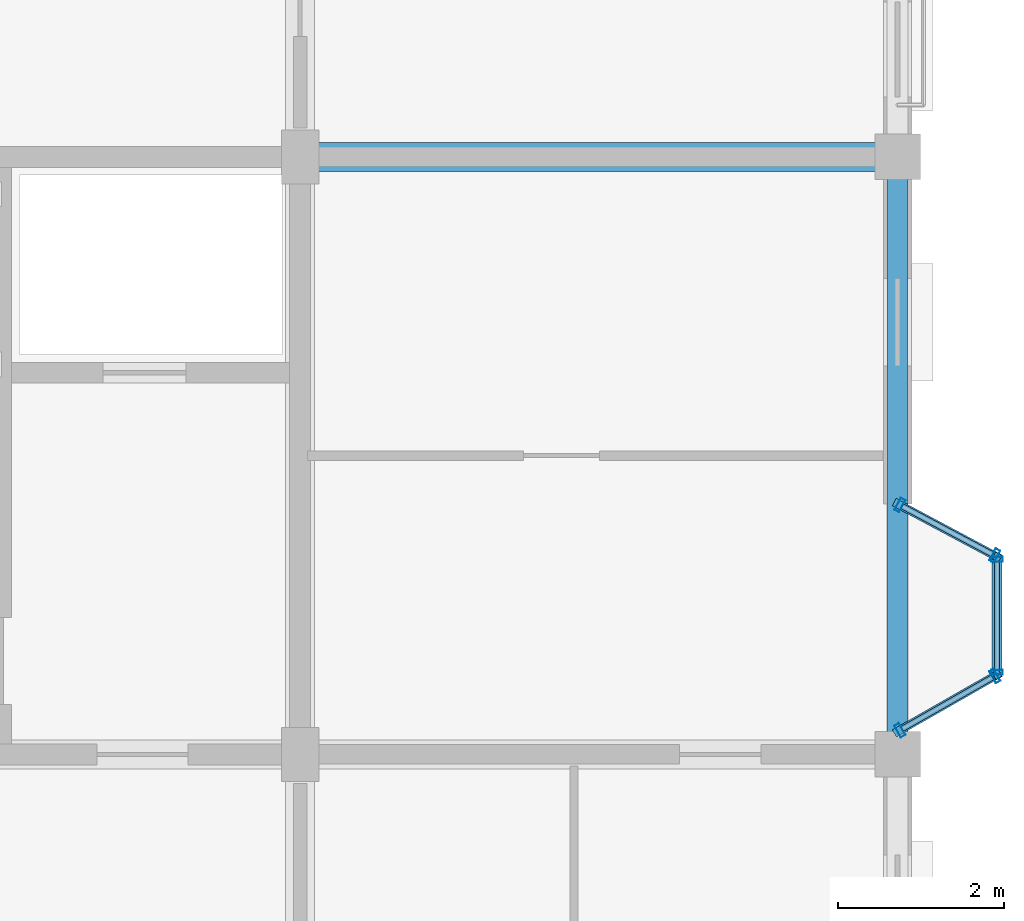
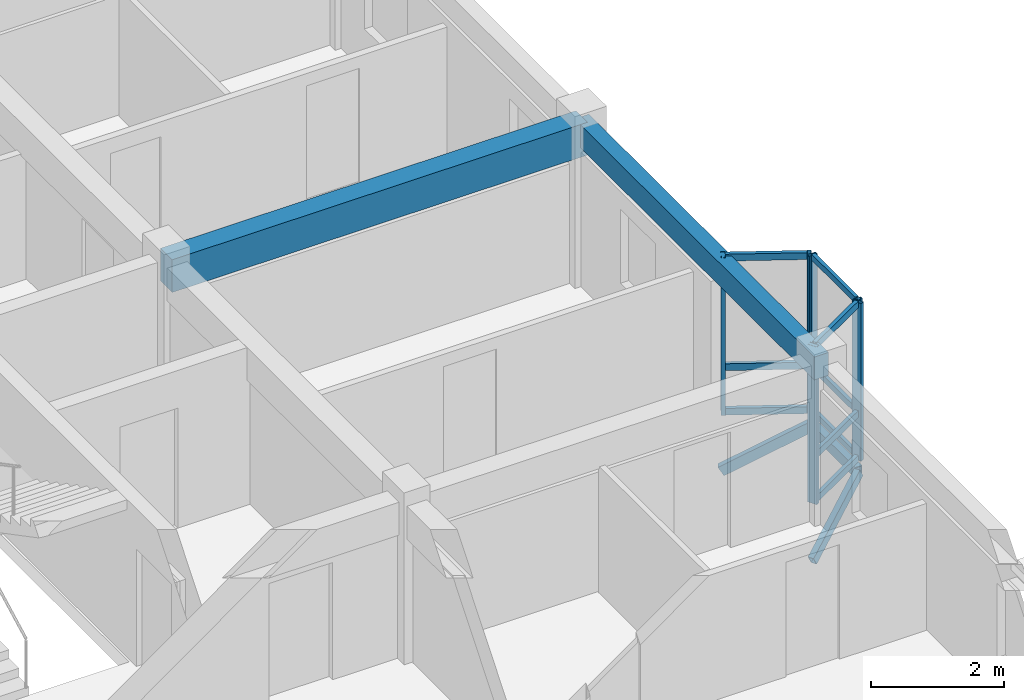
# One storey, part 25 of 75: 18 members, 2 beams, 3 elements without a shape of their own.
"""IFC4 building model written with IfcOpenShell, lengths in metres."""

from ifc_helpers import new_model, si_unit, direction, frame, origin, origin_2d, place, context, subcontext, project, spatial, rectangle, hollow_rectangle, extrude, material, layer, layer_set, material_profile, profile_set, type_object, element, aggregate, save


model = new_model("IFC4")

# Units and contexts
model_context = context("Model", 3, precision=1e-05, world=origin(), true_north=direction((0.0, 1.0)))
body_context = subcontext(model_context, "Body", "Model", "MODEL_VIEW")
ifc_project = project(units=[si_unit("LENGTHUNIT", "METRE"), si_unit("AREAUNIT", "SQUARE_METRE"), si_unit("VOLUMEUNIT", "CUBIC_METRE"), si_unit("PLANEANGLEUNIT", "RADIAN"), si_unit("MASSUNIT", "GRAM", prefix="KILO"), si_unit("THERMODYNAMICTEMPERATUREUNIT", "KELVIN"), si_unit("POWERUNIT", "WATT")], contexts=[model_context])

# Site, building, storey
site_placement = place(None, origin())
site = spatial("IfcSite", under=ifc_project, at=site_placement, CompositionType="ELEMENT")
building_placement = place(site_placement, origin())
building = spatial("IfcBuilding", under=site, at=building_placement, Name="Tavuni Mirador Residences", CompositionType="ELEMENT")
storey_placement = place(building_placement, frame((0.0, 0.0, 20.25)))
storey = spatial("IfcBuildingStorey", under=building, at=storey_placement, Name="L06", CompositionType="ELEMENT", Elevation=20.25)

# Beams
ifc_material_1 = material(Name="Precast concrete C40/50", Category="concrete")
ifc_material_profile_1 = material_profile(ifc_material_1, rectangle(XDim=0.35009765625, YDim=0.60009765625, at=origin_2d()), Name="PC 350x600", Category="concrete")
ifc_profile_set_1 = profile_set([ifc_material_profile_1], Name="Precast concrete C40/50")
beam_type_1 = type_object("IfcBeamType", Name="BT-B600", PredefinedType="BEAM", material=ifc_profile_set_1)
beam_1_placement = place(storey_placement, frame((111.60009765625, 115.199951171875, 2.590087890625), z_axis=(1.0, 0.0, 0.0), x_axis=(0.0, 1.0, 0.0)))
element("IfcBeam", 1, at=beam_1_placement, inside=storey, type_object=beam_type_1, Name="BMX-BLK-D-L06-03-04", PredefinedType="BEAM", context=body_context, shape_type="SweptSolid", body=[
    extrude(rectangle(XDim=0.35009765625, YDim=0.60009765625, at=origin_2d()), origin(), (0.0, 0.0, 1.0), 7.199951171875),
])
ifc_material_profile_2 = material_profile(ifc_material_1, rectangle(XDim=0.25, YDim=0.419921875, at=origin_2d()), Name="PC 250x420", Category="concrete")
ifc_profile_set_2 = profile_set([ifc_material_profile_2], Name="Precast concrete C40/50")
beam_type_2 = type_object("IfcBeamType", Name="BT-SP420", PredefinedType="SPANDREL", material=ifc_profile_set_2)
beam_2_placement = place(storey_placement, frame((118.800048828125, 108.0, 2.679931640625), z_axis=(0.0, 1.0, 0.0), x_axis=(-1.0, 0.0, 0.0)))
element("IfcBeam", 2, at=beam_2_placement, inside=storey, type_object=beam_type_2, Name="BMY-BLK-D-L06-04-03", PredefinedType="SPANDREL", context=body_context, shape_type="SweptSolid", body=[
    extrude(rectangle(XDim=0.25, YDim=0.419921875, at=origin_2d()), origin(), (0.0, 0.0, 1.0), 7.199951171875),
])

# Curtain wall, members
ifc_material_2 = material(Name="Anodised aluminium", Category="aluminium")
ifc_layer_1 = layer(ifc_material_2, 0.175048828125, Name="Anodised aluminium", Category="aluminium")
ifc_layer_set_1 = layer_set([ifc_layer_1], Name="Anodised aluminium")
curtain_wall_type_1 = type_object("IfcCurtainWallType", Name="CWT-MIR-C", PredefinedType="NOTDEFINED", material=ifc_layer_set_1)
curtain_wall_1_placement = place(storey_placement, origin())
curtain_wall_1 = element("IfcCurtainWall", 3, at=curtain_wall_1_placement, inside=storey, type_object=curtain_wall_type_1, Name="CW-MIR-D-E2-L06-MF", PredefinedType="NOTDEFINED")
ifc_material_profile_3 = material_profile(ifc_material_2, hollow_rectangle(XDim=0.06005859375, YDim=0.139892578125, WallThickness=0.00390625, at=origin_2d()), Name="ALU 60x140x4.0", Category="aluminium")
ifc_profile_set_3 = profile_set([ifc_material_profile_3], Name="Anodised aluminium")
member_type_1 = type_object("IfcMemberType", Name="CWM-140", PredefinedType="MULLION", material=ifc_profile_set_3)
member_1_placement = place(storey_placement, frame((120.0, 108.989990234375, 0.0), z_axis=(0.0, 0.0, 1.0), x_axis=(0.0, 1.0, 0.0)))
member_1 = element("IfcMember", 4, at=member_1_placement, type_object=member_type_1, Name="CW-03 mullion 1", PredefinedType="MULLION", context=body_context, shape_type="SweptSolid", body=[
    extrude(hollow_rectangle(XDim=0.06005859375, YDim=0.139892578125, WallThickness=0.00390625, at=origin_2d()), origin(), (0.0, 0.0, 1.0), 2.889892578125),
])
member_2_placement = place(storey_placement, frame((120.0, 110.35009765625, 0.0), z_axis=(0.0, 0.0, 1.0), x_axis=(0.0, 1.0, 0.0)))
member_2 = element("IfcMember", 5, at=member_2_placement, type_object=member_type_1, Name="CW-03 mullion 2", PredefinedType="MULLION", context=body_context, shape_type="SweptSolid", body=[
    extrude(hollow_rectangle(XDim=0.06005859375, YDim=0.139892578125, WallThickness=0.00390625, at=origin_2d()), origin(), (0.0, 0.0, 1.0), 2.889892578125),
])

ifc_layer_2 = layer(ifc_material_2, 0.14990234375, Name="Anodised aluminium", Category="aluminium")
ifc_layer_set_2 = layer_set([ifc_layer_2], Name="Anodised aluminium")
curtain_wall_type_2 = type_object("IfcCurtainWallType", Name="CWT-MIR-B", PredefinedType="NOTDEFINED", material=ifc_layer_set_2)
curtain_wall_2_placement = place(storey_placement, origin())
curtain_wall_2 = element("IfcCurtainWall", 6, at=curtain_wall_2_placement, inside=storey, type_object=curtain_wall_type_2, Name="CW-MIR-D-E2-L06-M1", PredefinedType="NOTDEFINED")
ifc_material_profile_4 = material_profile(ifc_material_2, hollow_rectangle(XDim=0.06494140625, YDim=0.1650390625, WallThickness=0.00439453125, at=origin_2d()), Name="ALU 65x165x4.5", Category="aluminium")
ifc_profile_set_4 = profile_set([ifc_material_profile_4], Name="Anodised aluminium")
member_type_2 = type_object("IfcMemberType", Name="CWM-165", PredefinedType="MULLION", material=ifc_profile_set_4)
member_3_placement = place(storey_placement, frame((118.828125, 108.291015625, 0.0), z_axis=(0.0, 0.0, 1.0), x_axis=(0.868465738194, 0.495749192217, 0.0)))
member_3 = element("IfcMember", 7, at=member_3_placement, type_object=member_type_2, Name="CW-02 mullion 1", PredefinedType="MULLION", context=body_context, shape_type="SweptSolid", body=[
    extrude(hollow_rectangle(XDim=0.06494140625, YDim=0.1650390625, WallThickness=0.00439453125, at=origin_2d()), origin(), (0.0, 0.0, 1.0), 2.889892578125),
])
member_4_placement = place(storey_placement, frame((119.9716796875, 108.94384765625, 0.0), z_axis=(0.0, 0.0, 1.0), x_axis=(0.868465738194, 0.495749192217, 0.0)))
member_4 = element("IfcMember", 8, at=member_4_placement, type_object=member_type_2, Name="CW-02 mullion 2", PredefinedType="MULLION", context=body_context, shape_type="SweptSolid", body=[
    extrude(hollow_rectangle(XDim=0.06494140625, YDim=0.1650390625, WallThickness=0.00439453125, at=origin_2d()), origin(), (0.0, 0.0, 1.0), 2.889892578125),
])

ifc_layer_3 = layer(ifc_material_2, 0.159912109375, Name="Anodised aluminium", Category="aluminium")
ifc_layer_set_3 = layer_set([ifc_layer_3], Name="Anodised aluminium")
curtain_wall_type_3 = type_object("IfcCurtainWallType", Name="CWT-MIR-D", PredefinedType="NOTDEFINED", material=ifc_layer_set_3)
curtain_wall_3_placement = place(storey_placement, origin())
curtain_wall_3 = element("IfcCurtainWall", 9, at=curtain_wall_3_placement, inside=storey, type_object=curtain_wall_type_3, Name="CW-MIR-D-E2-L06-M2", PredefinedType="NOTDEFINED")
member_5_placement = place(storey_placement, frame((119.971435546875, 110.395263671875, 0.0), z_axis=(0.0, 0.0, 1.0), x_axis=(-0.882352941175, 0.470588235296, 0.0)))
member_5 = element("IfcMember", 10, at=member_5_placement, type_object=member_type_2, Name="CW-04 mullion 1", PredefinedType="MULLION", context=body_context, shape_type="SweptSolid", body=[
    extrude(hollow_rectangle(XDim=0.06494140625, YDim=0.1650390625, WallThickness=0.00439453125, at=origin_2d()), origin(), (0.0, 0.0, 1.0), 2.889892578125),
])
member_6_placement = place(storey_placement, frame((118.82861328125, 111.004638671875, 0.0), z_axis=(0.0, 0.0, 1.0), x_axis=(-0.882352941175, 0.470588235296, 0.0)))
member_6 = element("IfcMember", 11, at=member_6_placement, type_object=member_type_2, Name="CW-04 mullion 2", PredefinedType="MULLION", context=body_context, shape_type="SweptSolid", body=[
    extrude(hollow_rectangle(XDim=0.06494140625, YDim=0.1650390625, WallThickness=0.00439453125, at=origin_2d()), origin(), (0.0, 0.0, 1.0), 2.889892578125),
])

# Member
ifc_material_profile_5 = material_profile(ifc_material_2, hollow_rectangle(XDim=0.06005859375, YDim=0.110107421875, WallThickness=0.00390625, at=origin_2d()), Name="ALU 60x110x4.0", Category="aluminium")
ifc_profile_set_5 = profile_set([ifc_material_profile_5], Name="Anodised aluminium")
member_type_3 = type_object("IfcMemberType", Name="CWT-110", PredefinedType="USERDEFINED", material=ifc_profile_set_5)
member_7_placement = place(storey_placement, frame((120.0, 109.02001953125, 0.030029296875), z_axis=(0.0, 1.0, 0.0), x_axis=(-1.0, 0.0, 0.0)))
member_7 = element("IfcMember", 12, at=member_7_placement, type_object=member_type_3, Name="CW-03 transom 1.1", ObjectType="TRANSOM", PredefinedType="USERDEFINED", context=body_context, shape_type="SweptSolid", body=[
    extrude(hollow_rectangle(XDim=0.06005859375, YDim=0.110107421875, WallThickness=0.00390625, at=origin_2d()), origin(), (0.0, 0.0, 1.0), 1.300048828125),
])

member_8_placement = place(storey_placement, frame((120.0, 109.02001953125, 0.85009765625), z_axis=(0.0, 1.0, 0.0), x_axis=(-1.0, 0.0, 0.0)))
member_8 = element("IfcMember", 13, at=member_8_placement, type_object=member_type_3, Name="CW-03 transom 1.2", ObjectType="TRANSOM", PredefinedType="USERDEFINED", context=body_context, shape_type="SweptSolid", body=[
    extrude(hollow_rectangle(XDim=0.06005859375, YDim=0.110107421875, WallThickness=0.00390625, at=origin_2d()), origin(), (0.0, 0.0, 1.0), 1.300048828125),
])

member_9_placement = place(storey_placement, frame((120.0, 109.02001953125, 2.860107421875), z_axis=(0.0, 1.0, 0.0), x_axis=(-1.0, 0.0, 0.0)))
member_9 = element("IfcMember", 14, at=member_9_placement, type_object=member_type_3, Name="CW-03 transom 1.3", ObjectType="TRANSOM", PredefinedType="USERDEFINED", context=body_context, shape_type="SweptSolid", body=[
    extrude(hollow_rectangle(XDim=0.06005859375, YDim=0.110107421875, WallThickness=0.00390625, at=origin_2d()), origin(), (0.0, 0.0, 1.0), 1.300048828125),
])

aggregate(curtain_wall_1, [member_1, member_2, member_7, member_8, member_9])

ifc_material_profile_6 = material_profile(ifc_material_2, hollow_rectangle(XDim=0.06494140625, YDim=0.125, WallThickness=0.00439453125, at=origin_2d()), Name="ALU 65x125x4.5", Category="aluminium")
ifc_profile_set_6 = profile_set([ifc_material_profile_6], Name="Anodised aluminium")
member_type_4 = type_object("IfcMemberType", Name="CWT-125", PredefinedType="USERDEFINED", material=ifc_profile_set_6)
member_10_placement = place(storey_placement, frame((118.8564453125, 108.30712890625, 0.032470703125), z_axis=(0.868459090685, 0.495760837306, 0.0), x_axis=(-0.495760837306, 0.868459090685, 0.0)))
member_10 = element("IfcMember", 15, at=member_10_placement, type_object=member_type_4, Name="CW-02 transom 1.1", ObjectType="TRANSOM", PredefinedType="USERDEFINED", context=body_context, shape_type="SweptSolid", body=[
    extrude(hollow_rectangle(XDim=0.06494140625, YDim=0.125, WallThickness=0.00439453125, at=origin_2d()), origin(), (0.0, 0.0, 1.0), 1.251708984375),
])

member_11_placement = place(storey_placement, frame((118.8564453125, 108.30712890625, 0.85009765625), z_axis=(0.868459090685, 0.495760837306, 0.0), x_axis=(-0.495760837306, 0.868459090685, 0.0)))
member_11 = element("IfcMember", 16, at=member_11_placement, type_object=member_type_4, Name="CW-02 transom 1.2", ObjectType="TRANSOM", PredefinedType="USERDEFINED", context=body_context, shape_type="SweptSolid", body=[
    extrude(hollow_rectangle(XDim=0.06494140625, YDim=0.125, WallThickness=0.00439453125, at=origin_2d()), origin(), (0.0, 0.0, 1.0), 1.251708984375),
])

member_12_placement = place(storey_placement, frame((118.8564453125, 108.30712890625, 2.857421875), z_axis=(0.868459090685, 0.495760837306, 0.0), x_axis=(-0.495760837306, 0.868459090685, 0.0)))
member_12 = element("IfcMember", 17, at=member_12_placement, type_object=member_type_4, Name="CW-02 transom 1.3", ObjectType="TRANSOM", PredefinedType="USERDEFINED", context=body_context, shape_type="SweptSolid", body=[
    extrude(hollow_rectangle(XDim=0.06494140625, YDim=0.125, WallThickness=0.00439453125, at=origin_2d()), origin(), (0.0, 0.0, 1.0), 1.251708984375),
])

aggregate(curtain_wall_2, [member_3, member_4, member_10, member_11, member_12])

member_13_placement = place(storey_placement, frame((119.942626953125, 110.41064453125, 0.032470703125), z_axis=(-0.882325465843, 0.470639747922, 0.0), x_axis=(-0.470639747922, -0.882325465843, 0.0)))
member_13 = element("IfcMember", 18, at=member_13_placement, type_object=member_type_4, Name="CW-04 transom 1.1", ObjectType="TRANSOM", PredefinedType="USERDEFINED", context=body_context, shape_type="SweptSolid", body=[
    extrude(hollow_rectangle(XDim=0.06494140625, YDim=0.125, WallThickness=0.00439453125, at=origin_2d()), origin(), (0.0, 0.0, 1.0), 1.22998046875),
])

member_14_placement = place(storey_placement, frame((119.942626953125, 110.41064453125, 0.85009765625), z_axis=(-0.882325465843, 0.470639747922, 0.0), x_axis=(-0.470639747922, -0.882325465843, 0.0)))
member_14 = element("IfcMember", 19, at=member_14_placement, type_object=member_type_4, Name="CW-04 transom 1.2", ObjectType="TRANSOM", PredefinedType="USERDEFINED", context=body_context, shape_type="SweptSolid", body=[
    extrude(hollow_rectangle(XDim=0.06494140625, YDim=0.125, WallThickness=0.00439453125, at=origin_2d()), origin(), (0.0, 0.0, 1.0), 1.22998046875),
])

member_15_placement = place(storey_placement, frame((119.942626953125, 110.41064453125, 2.857421875), z_axis=(-0.882325465843, 0.470639747922, 0.0), x_axis=(-0.470639747922, -0.882325465843, 0.0)))
member_15 = element("IfcMember", 20, at=member_15_placement, type_object=member_type_4, Name="CW-04 transom 1.3", ObjectType="TRANSOM", PredefinedType="USERDEFINED", context=body_context, shape_type="SweptSolid", body=[
    extrude(hollow_rectangle(XDim=0.06494140625, YDim=0.125, WallThickness=0.00439453125, at=origin_2d()), origin(), (0.0, 0.0, 1.0), 1.22998046875),
])

aggregate(curtain_wall_3, [member_5, member_6, member_13, member_14, member_15])

# Members
ifc_material_3 = material(Name="Structural steel S355", Category="steel")
ifc_material_profile_7 = material_profile(ifc_material_3, hollow_rectangle(XDim=0.10009765625, YDim=0.179931640625, WallThickness=0.008056640625, at=origin_2d()), Name="RHS 180x100x8.0", Category="steel")
ifc_profile_set_7 = profile_set([ifc_material_profile_7], Name="Structural steel S355")
member_type_5 = type_object("IfcMemberType", Name="MT-BR-RHS180", PredefinedType="BRACE", material=ifc_profile_set_7)
member_16_placement = place(storey_placement, frame((118.800048828125, 108.27490234375, -1.050048828125), z_axis=(0.753903905175, 0.430407804256, 0.496364809185), x_axis=(-0.495796390047, 0.868438794398, 0.0)))
element("IfcMember", 21, at=member_16_placement, inside=storey, type_object=member_type_5, Name="MBRK-MIR-D-E2-L06-1", PredefinedType="BRACE", context=body_context, shape_type="SweptSolid", body=[
    extrude(hollow_rectangle(XDim=0.10009765625, YDim=0.179931640625, WallThickness=0.008056640625, at=origin_2d()), origin(), (0.0, 0.0, 1.0), 1.591552734375),
])
member_17_placement = place(storey_placement, frame((118.800048828125, 111.02001953125, -1.050048828125), z_axis=(0.762920992699, -0.406994678099, 0.502301593565), x_axis=(0.470681405175, 0.882303244255, 0.0)))
element("IfcMember", 22, at=member_17_placement, inside=storey, type_object=member_type_5, Name="MBRK-MIR-D-E2-L06-2", PredefinedType="BRACE", context=body_context, shape_type="SweptSolid", body=[
    extrude(hollow_rectangle(XDim=0.10009765625, YDim=0.179931640625, WallThickness=0.008056640625, at=origin_2d()), origin(), (0.0, 0.0, 1.0), 1.57275390625),
])
ifc_material_profile_8 = material_profile(ifc_material_3, hollow_rectangle(XDim=0.1201171875, YDim=0.199951171875, WallThickness=0.010009765625, at=origin_2d()), Name="RHS 200x120x10.0", Category="steel")
ifc_profile_set_8 = profile_set([ifc_material_profile_8], Name="Structural steel S355")
member_type_6 = type_object("IfcMemberType", Name="MT-ST-RHS200", PredefinedType="STRUT", material=ifc_profile_set_8)
member_18_placement = place(storey_placement, frame((120.0, 108.9599609375, -0.260009765625), z_axis=(0.0, 1.0, 0.0), x_axis=(-1.0, 0.0, 0.0)))
element("IfcMember", 23, at=member_18_placement, inside=storey, type_object=member_type_6, Name="MRIM-MIR-D-E2-L06", PredefinedType="STRUT", context=body_context, shape_type="SweptSolid", body=[
    extrude(hollow_rectangle(XDim=0.1201171875, YDim=0.199951171875, WallThickness=0.010009765625, at=origin_2d()), origin(), (0.0, 0.0, 1.0), 1.419921875),
])

save(model, "model.ifc")
